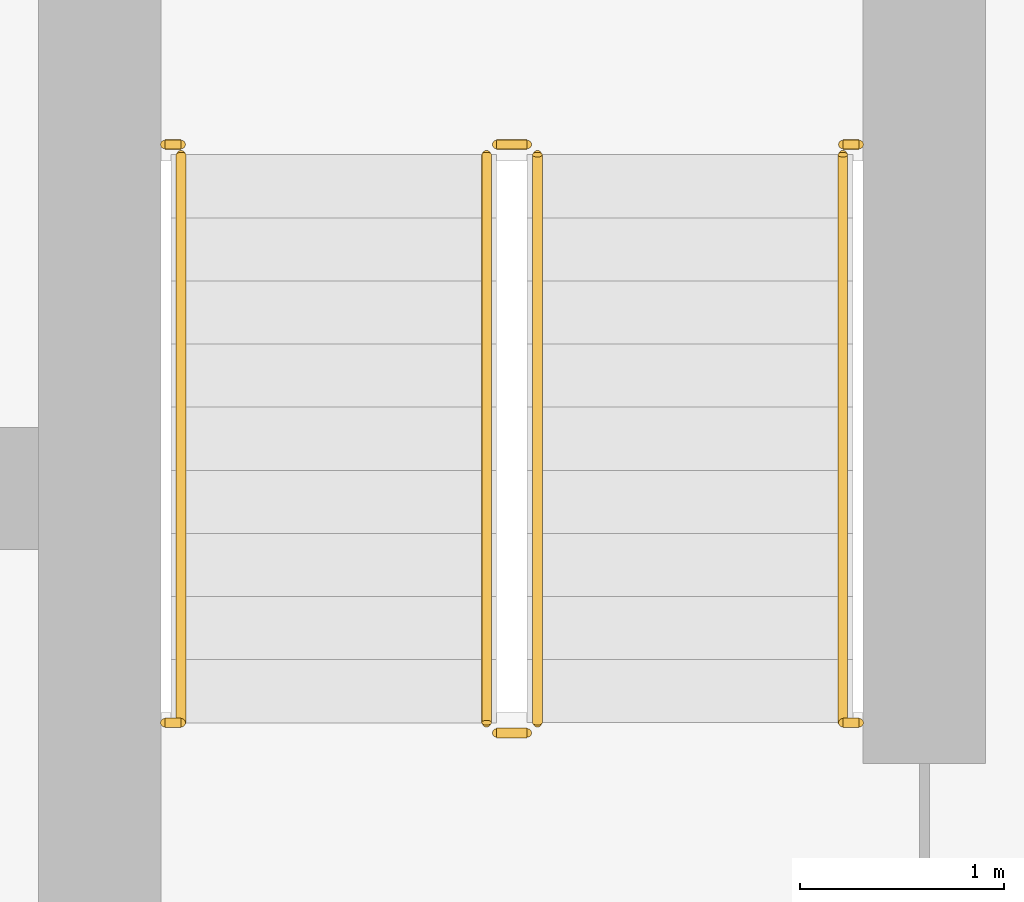
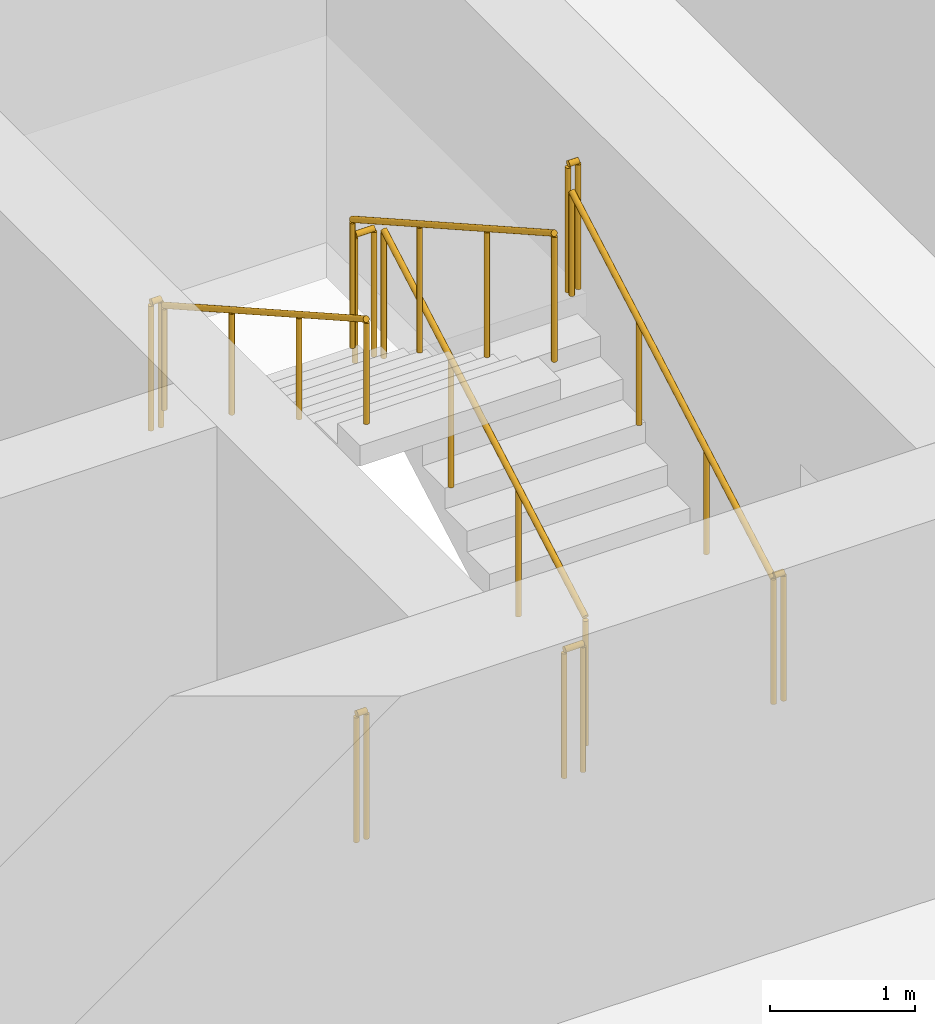
# One storey, part 20 of 22: 10 railings.
"""IFC4 building model written with IfcOpenShell, lengths in metres."""

from ifc_helpers import new_model, si_unit, direction, frame, origin, origin_2d, place, context, subcontext, project, spatial, circle, extrude, material, type_object, element, save


model = new_model("IFC4")

# Units and contexts
model_context = context("Model", 3, precision=1e-05, world=origin(), true_north=direction((0.0, 1.0)))
body_context = subcontext(model_context, "Body", "Model", "MODEL_VIEW")
ifc_project = project(units=[si_unit("LENGTHUNIT", "METRE"), si_unit("AREAUNIT", "SQUARE_METRE"), si_unit("VOLUMEUNIT", "CUBIC_METRE"), si_unit("PLANEANGLEUNIT", "RADIAN"), si_unit("MASSUNIT", "GRAM", prefix="KILO")], contexts=[model_context])

# Site, building, storey
site_placement = place(None, origin())
site = spatial("IfcSite", under=ifc_project, at=site_placement, CompositionType="ELEMENT")
building_placement = place(site_placement, origin())
building = spatial("IfcBuilding", under=site, at=building_placement, Name="Madar Terraces", CompositionType="ELEMENT")
storey_placement = place(building_placement, frame((0.0, 0.0, 163.0)))
storey = spatial("IfcBuildingStorey", under=building, at=storey_placement, Name="L42", CompositionType="ELEMENT", Elevation=163.0)

# Railings
ifc_material_1 = material(Name="Stainless steel railing", Category="steel")
railing_type_1 = type_object("IfcRailingType", Name="Stair guard 1100", PredefinedType="GUARDRAIL", material=ifc_material_1)
railing_1_placement = place(storey_placement, frame((41.449951171875, 17.60009765625, 0.175048828125)))
element("IfcRailing", 1, at=railing_1_placement, inside=storey, type_object=railing_type_1, Name="L42 ST3 stair guard 1", PredefinedType="GUARDRAIL", context=body_context, shape_type="SweptSolid", body=[
    extrude(circle(Radius=0.02392578125, at=origin_2d()), frame((0.0, 0.0, 1.076171875), z_axis=(0.0, 0.870815363784, 0.491610213684), x_axis=(-1.0, 0.0, 0.0)), (0.0, 0.0, 1.0), 3.20361328125),
    extrude(circle(Radius=0.02099609375, at=origin_2d()), origin(), (0.0, 0.0, 1.0), 1.052001953125),
    extrude(circle(Radius=0.02099609375, at=origin_2d()), frame((0.0, 0.929931640625, 0.52490234375)), (0.0, 0.0, 1.0), 1.052001953125),
    extrude(circle(Radius=0.02099609375, at=origin_2d()), frame((0.0, 1.85986328125, 1.050048828125)), (0.0, 0.0, 1.0), 1.052001953125),
    extrude(circle(Radius=0.02099609375, at=origin_2d()), frame((0.0, 2.789794921875, 1.574951171875)), (0.0, 0.0, 1.0), 1.052001953125),
])
railing_2_placement = place(storey_placement, frame((41.39990234375, 20.43994140625, 1.75)))
element("IfcRailing", 2, at=railing_2_placement, inside=storey, type_object=railing_type_1, Name="L42 ST3 stair guard 2", PredefinedType="GUARDRAIL", context=body_context, shape_type="SweptSolid", body=[
    extrude(circle(Radius=0.02392578125, at=origin_2d()), frame((0.0, 0.0, 1.076171875), z_axis=(-1.0, 0.0, 0.0), x_axis=(0.0, -1.0, 0.0)), (0.0, 0.0, 1.0), 0.14990234375),
    extrude(circle(Radius=0.02099609375, at=origin_2d()), origin(), (0.0, 0.0, 1.0), 1.052001953125),
    extrude(circle(Radius=0.02099609375, at=origin_2d()), frame((-0.14990234375, 0.0, 0.0)), (0.0, 0.0, 1.0), 1.052001953125),
])
railing_3_placement = place(storey_placement, frame((41.199951171875, 20.389892578125, 1.925048828125)))
element("IfcRailing", 3, at=railing_3_placement, inside=storey, type_object=railing_type_1, Name="L42 ST3 stair guard 3", PredefinedType="GUARDRAIL", context=body_context, shape_type="SweptSolid", body=[
    extrude(circle(Radius=0.02392578125, at=origin_2d()), frame((0.0, 0.0, 1.076171875), z_axis=(0.0, -0.870815363784, 0.491610213684), x_axis=(1.0, 0.0, 0.0)), (0.0, 0.0, 1.0), 3.20361328125),
    extrude(circle(Radius=0.02099609375, at=origin_2d()), origin(), (0.0, 0.0, 1.0), 1.052001953125),
    extrude(circle(Radius=0.02099609375, at=origin_2d()), frame((0.0, -0.929931640625, 0.52490234375)), (0.0, 0.0, 1.0), 1.052001953125),
    extrude(circle(Radius=0.02099609375, at=origin_2d()), frame((0.0, -1.85986328125, 1.050048828125)), (0.0, 0.0, 1.0), 1.052001953125),
    extrude(circle(Radius=0.02099609375, at=origin_2d()), frame((0.0, -2.789794921875, 1.574951171875)), (0.0, 0.0, 1.0), 1.052001953125),
])
railing_4_placement = place(storey_placement, frame((41.39990234375, 17.550048828125, 0.0)))
element("IfcRailing", 4, at=railing_4_placement, inside=storey, type_object=railing_type_1, Name="L42 ST3 stair guard 4", PredefinedType="GUARDRAIL", context=body_context, shape_type="SweptSolid", body=[
    extrude(circle(Radius=0.02392578125, at=origin_2d()), frame((0.0, 0.0, 1.076171875), z_axis=(-1.0, 0.0, 0.0), x_axis=(0.0, -1.0, 0.0)), (0.0, 0.0, 1.0), 0.14990234375),
    extrude(circle(Radius=0.02099609375, at=origin_2d()), origin(), (0.0, 0.0, 1.0), 1.052001953125),
    extrude(circle(Radius=0.02099609375, at=origin_2d()), frame((-0.14990234375, 0.0, 0.0)), (0.0, 0.0, 1.0), 1.052001953125),
])
railing_5_placement = place(storey_placement, frame((39.6201171875, 20.43994140625, 1.75)))
element("IfcRailing", 5, at=railing_5_placement, inside=storey, type_object=railing_type_1, Name="L42 stair guard seat 1", PredefinedType="GUARDRAIL", context=body_context, shape_type="SweptSolid", body=[
    extrude(circle(Radius=0.02392578125, at=origin_2d()), frame((0.0, 0.0, 1.076171875), z_axis=(1.0, 0.0, 0.0), x_axis=(0.0, 1.0, 0.0)), (0.0, 0.0, 1.0), 0.079833984375),
    extrude(circle(Radius=0.02099609375, at=origin_2d()), origin(), (0.0, 0.0, 1.0), 1.052001953125),
    extrude(circle(Radius=0.02099609375, at=origin_2d()), frame((0.079833984375, 0.0, 0.0)), (0.0, 0.0, 1.0), 1.052001953125),
])
railing_6_placement = place(storey_placement, frame((42.949951171875, 20.43994140625, 1.75)))
element("IfcRailing", 6, at=railing_6_placement, inside=storey, type_object=railing_type_1, Name="L42 stair guard seat 2", PredefinedType="GUARDRAIL", context=body_context, shape_type="SweptSolid", body=[
    extrude(circle(Radius=0.02392578125, at=origin_2d()), frame((0.0, 0.0, 1.076171875), z_axis=(1.0, 0.0, 0.0), x_axis=(0.0, 1.0, 0.0)), (0.0, 0.0, 1.0), 0.080078125),
    extrude(circle(Radius=0.02099609375, at=origin_2d()), origin(), (0.0, 0.0, 1.0), 1.052001953125),
    extrude(circle(Radius=0.02099609375, at=origin_2d()), frame((0.080078125, 0.0, 0.0)), (0.0, 0.0, 1.0), 1.052001953125),
])
railing_7_placement = place(storey_placement, frame((39.6201171875, 17.60009765625, 0.0)))
element("IfcRailing", 7, at=railing_7_placement, inside=storey, type_object=railing_type_1, Name="L42 stair guard floor 1", PredefinedType="GUARDRAIL", context=body_context, shape_type="SweptSolid", body=[
    extrude(circle(Radius=0.02392578125, at=origin_2d()), frame((0.0, 0.0, 1.076171875), z_axis=(1.0, 0.0, 0.0), x_axis=(0.0, 1.0, 0.0)), (0.0, 0.0, 1.0), 0.079833984375),
    extrude(circle(Radius=0.02099609375, at=origin_2d()), origin(), (0.0, 0.0, 1.0), 1.052001953125),
    extrude(circle(Radius=0.02099609375, at=origin_2d()), frame((0.079833984375, 0.0, 0.0)), (0.0, 0.0, 1.0), 1.052001953125),
])
railing_8_placement = place(storey_placement, frame((42.949951171875, 17.60009765625, 0.0)))
element("IfcRailing", 8, at=railing_8_placement, inside=storey, type_object=railing_type_1, Name="L42 stair guard floor 2", PredefinedType="GUARDRAIL", context=body_context, shape_type="SweptSolid", body=[
    extrude(circle(Radius=0.02392578125, at=origin_2d()), frame((0.0, 0.0, 1.076171875), z_axis=(1.0, 0.0, 0.0), x_axis=(0.0, 1.0, 0.0)), (0.0, 0.0, 1.0), 0.080078125),
    extrude(circle(Radius=0.02099609375, at=origin_2d()), origin(), (0.0, 0.0, 1.0), 1.052001953125),
    extrude(circle(Radius=0.02099609375, at=origin_2d()), frame((0.080078125, 0.0, 0.0)), (0.0, 0.0, 1.0), 1.052001953125),
])
ifc_material_2 = material(Name="Stainless steel railing", Category="steel")
railing_type_2 = type_object("IfcRailingType", Name="Stair handrail 900", PredefinedType="HANDRAIL", material=ifc_material_2)
railing_9_placement = place(storey_placement, frame((42.949951171875, 17.60009765625, 0.175048828125)))
element("IfcRailing", 9, at=railing_9_placement, inside=storey, type_object=railing_type_2, Name="L42 ST3 stair handrail 1", PredefinedType="HANDRAIL", context=body_context, shape_type="SweptSolid", body=[
    extrude(circle(Radius=0.02392578125, at=origin_2d()), frame((0.0, 0.0, 0.8759765625), z_axis=(0.0, 0.870815363784, 0.491610213684), x_axis=(-1.0, 0.0, 0.0)), (0.0, 0.0, 1.0), 3.20361328125),
    extrude(circle(Radius=0.02099609375, at=origin_2d()), origin(), (0.0, 0.0, 1.0), 0.851806640625),
    extrude(circle(Radius=0.02099609375, at=origin_2d()), frame((0.0, 0.929931640625, 0.52490234375)), (0.0, 0.0, 1.0), 0.851806640625),
    extrude(circle(Radius=0.02099609375, at=origin_2d()), frame((0.0, 1.85986328125, 1.050048828125)), (0.0, 0.0, 1.0), 0.851806640625),
    extrude(circle(Radius=0.02099609375, at=origin_2d()), frame((0.0, 2.789794921875, 1.574951171875)), (0.0, 0.0, 1.0), 0.851806640625),
])
railing_10_placement = place(storey_placement, frame((39.699951171875, 20.389892578125, 1.925048828125)))
element("IfcRailing", 10, at=railing_10_placement, inside=storey, type_object=railing_type_2, Name="L42 ST3 stair handrail 2", PredefinedType="HANDRAIL", context=body_context, shape_type="SweptSolid", body=[
    extrude(circle(Radius=0.02392578125, at=origin_2d()), frame((0.0, 0.0, 0.8759765625), z_axis=(0.0, -0.870815363784, 0.491610213684), x_axis=(1.0, 0.0, 0.0)), (0.0, 0.0, 1.0), 3.20361328125),
    extrude(circle(Radius=0.02099609375, at=origin_2d()), origin(), (0.0, 0.0, 1.0), 0.851806640625),
    extrude(circle(Radius=0.02099609375, at=origin_2d()), frame((0.0, -0.929931640625, 0.52490234375)), (0.0, 0.0, 1.0), 0.851806640625),
    extrude(circle(Radius=0.02099609375, at=origin_2d()), frame((0.0, -1.85986328125, 1.050048828125)), (0.0, 0.0, 1.0), 0.851806640625),
    extrude(circle(Radius=0.02099609375, at=origin_2d()), frame((0.0, -2.789794921875, 1.574951171875)), (0.0, 0.0, 1.0), 0.851806640625),
])

save(model, "model.ifc")
